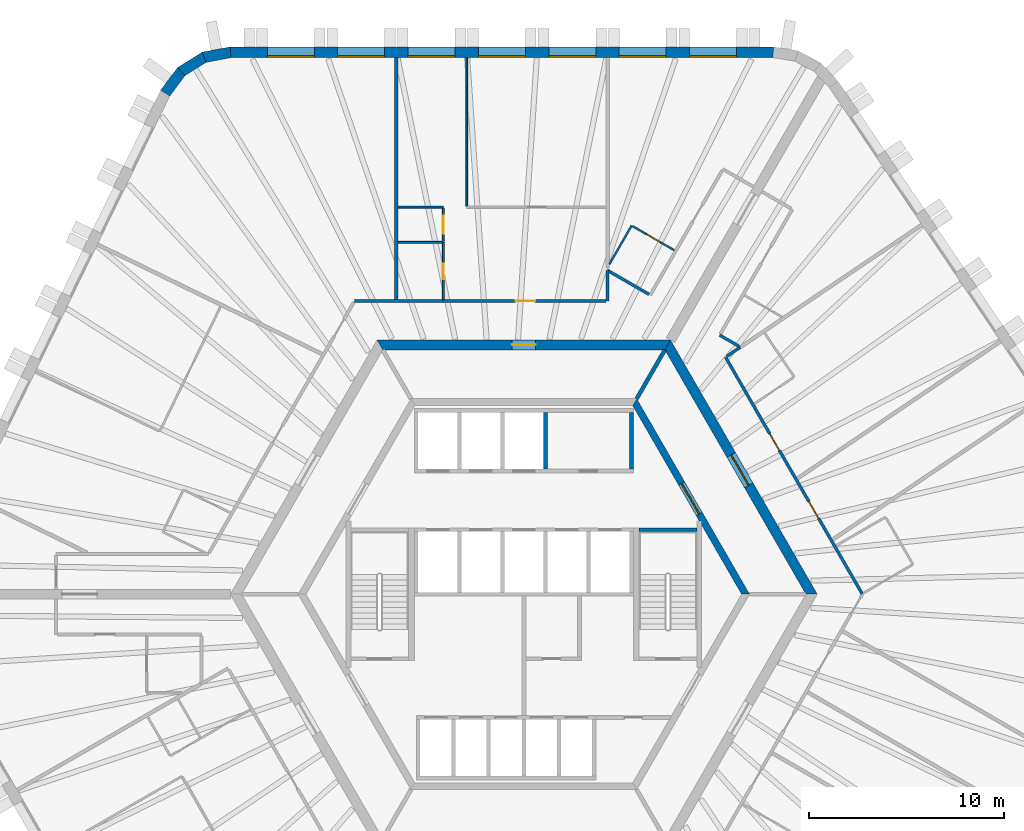
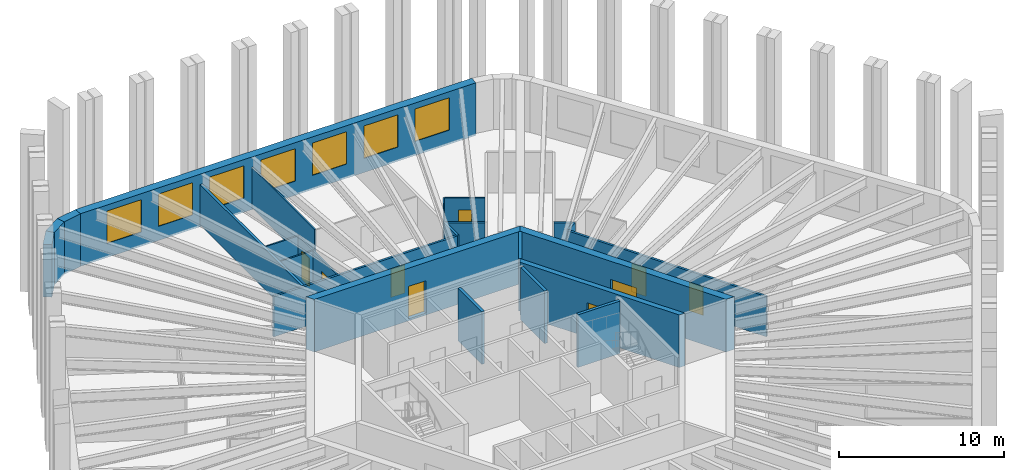
# One storey, part 8 of 10: 25 walls, 9 doors, 7 windows, 16 openings.
"""IFC4 building model written with IfcOpenShell, lengths in metres."""

import ifcopenshell
import ifcopenshell.guid

model = None  # the IFC model being written
_history = None  # IfcOwnerHistory: only IFC2X3 demands one
_inside = {}  # id of a spatial element -> (the spatial element, [elements in it])
_under = {}  # id of a project, library or spatial element -> (it, [spatial elements below it])
_declared = {}  # id of a project -> (the project, [libraries it declares])
_typed = {}  # id of a type object -> (the type object, [elements of that type])
_made_of = {}  # id of a material, layer set ... -> (it, [elements and type objects made of it])


def new_model(schema):
    """Start an empty IFC model of exactly this schema.

    Asked for "IFC4X3", IfcOpenShell would pick the latest addendum, in which some entities
    have other attributes; the version numbers below select the first issue.
    IFC2X3 requires an IfcOwnerHistory on every rooted entity: one is made here for all.
    """
    global model, _history
    if schema == "IFC4X3":
        model = ifcopenshell.file(schema_version=(4, 3, 0, 0))
    else:
        model = ifcopenshell.file(schema=schema)
    _inside.clear()
    _under.clear()
    _declared.clear()
    _typed.clear()
    _made_of.clear()
    _history = None
    if model.schema == "IFC2X3":
        org = make("IfcOrganization", Name="unknown")
        user = make(
            "IfcPersonAndOrganization",
            ThePerson=make("IfcPerson", FamilyName="unknown"),
            TheOrganization=org,
        )
        app = make(
            "IfcApplication",
            ApplicationDeveloper=org,
            Version="unknown",
            ApplicationFullName="unknown",
            ApplicationIdentifier="unknown",
        )
        _history = make(
            "IfcOwnerHistory",
            OwningUser=user,
            OwningApplication=app,
            ChangeAction="ADDED",
            CreationDate=0,
        )
    return model


def make(cls, **values):
    """One entity of the class cls with the attributes given. An attribute that is None is left unset."""
    return model.create_entity(
        cls, **{name: value for name, value in values.items() if value is not None}
    )


def rooted(cls, **values):
    """An entity with a GlobalId (a new one), such as an element, a storey or a relation."""
    return make(cls, GlobalId=ifcopenshell.guid.new(), OwnerHistory=_history, **values)


def si_unit(unit_type, name, prefix=None):
    """IfcSIUnit, for example si_unit("LENGTHUNIT", "METRE", prefix="MILLI")."""
    return make("IfcSIUnit", UnitType=unit_type, Prefix=prefix, Name=name)


def assignment(units):
    """IfcUnitAssignment: the units of a project."""
    return None if units is None else make("IfcUnitAssignment", Units=units)


def point(xyz):
    """IfcCartesianPoint."""
    return None if xyz is None else make("IfcCartesianPoint", Coordinates=xyz)


def direction(xyz):
    """IfcDirection."""
    return None if xyz is None else make("IfcDirection", DirectionRatios=xyz)


def frame(location, z_axis=None, x_axis=None):
    """IfcAxis2Placement3D, a coordinate frame: its origin and axes. An axis left out is left unset."""
    return make(
        "IfcAxis2Placement3D",
        Location=point(location),
        Axis=direction(z_axis),
        RefDirection=direction(x_axis),
    )


def frame_2d(location, x_axis=None):
    """IfcAxis2Placement2D, a coordinate frame in the plane: its origin and x axis."""
    return make(
        "IfcAxis2Placement2D", Location=point(location), RefDirection=direction(x_axis)
    )


def origin():
    """The frame at (0, 0, 0) with its axes left unset."""
    return frame((0.0, 0.0, 0.0))


def place(relative_to, where):
    """IfcLocalPlacement: puts the frame where relative to a parent placement (None: the world)."""
    return make(
        "IfcLocalPlacement", PlacementRelTo=relative_to, RelativePlacement=where
    )


def context(
    kind, dimensions, precision=None, world=None, true_north=None, identifier=None
):
    """IfcGeometricRepresentationContext, for example the 3D "Model" context."""
    return make(
        "IfcGeometricRepresentationContext",
        ContextIdentifier=identifier,
        ContextType=kind,
        CoordinateSpaceDimension=dimensions,
        Precision=precision,
        WorldCoordinateSystem=world,
        TrueNorth=true_north,
    )


def subcontext(parent, identifier, kind, view, scale=None):
    """IfcGeometricRepresentationSubContext, for example "Body" below "Model"."""
    return make(
        "IfcGeometricRepresentationSubContext",
        ContextIdentifier=identifier,
        ContextType=kind,
        ParentContext=parent,
        TargetScale=scale,
        TargetView=view,
    )


def project(units=None, contexts=None):
    """IfcProject with its units and contexts."""
    return rooted(
        "IfcProject",
        Name="project",
        RepresentationContexts=contexts,
        UnitsInContext=assignment(units),
    )


def spatial(cls, under=None, at=None, **own):
    """A site, building, storey or space (cls), placed at a placement, below another one or the project."""
    s = rooted(cls, ObjectPlacement=at, **own)
    if under is not None:
        _under.setdefault(under.id(), (under, []))[1].append(s)
    return s


def polyline(points):
    """IfcPolyline through the points."""
    return make("IfcPolyline", Points=[point(p) for p in points])


def profile(cls, at=None, kind="AREA", **sizes):
    """A parametric profile (cls). Its sizes go by their IFC names, for example OverallWidth=200.0."""
    return make(cls, ProfileType=kind, Position=at, **sizes)


def rectangle(**sizes):
    """IfcRectangleProfileDef."""
    return profile("IfcRectangleProfileDef", **sizes)


def outline(outer, holes=None, kind="AREA"):
    """IfcArbitraryClosedProfileDef: a profile drawn as a closed curve; with holes, ...WithVoids."""
    if holes is None:
        return make("IfcArbitraryClosedProfileDef", ProfileType=kind, OuterCurve=outer)
    return make(
        "IfcArbitraryProfileDefWithVoids",
        ProfileType=kind,
        OuterCurve=outer,
        InnerCurves=holes,
    )


def extrude(swept, where, along, depth):
    """IfcExtrudedAreaSolid: the profile swept, set in the frame where, extruded along a direction by depth."""
    return make(
        "IfcExtrudedAreaSolid",
        SweptArea=swept,
        Position=where,
        ExtrudedDirection=direction(along),
        Depth=depth,
    )


def shape(context_of_items, identifier, shape_type, items):
    """IfcShapeRepresentation: the items that make up one representation, for example the "Body"."""
    return make(
        "IfcShapeRepresentation",
        ContextOfItems=context_of_items,
        RepresentationIdentifier=identifier,
        RepresentationType=shape_type,
        Items=items,
    )


def material(Name=None, Category=None):
    """IfcMaterial."""
    return make("IfcMaterial", Name=Name, Category=Category)


def layer(
    of_material, thickness, ventilated=None, Name=None, Category=None, Priority=None
):
    """IfcMaterialLayer: one layer of a wall or slab, of a material (None: an air gap)."""
    return make(
        "IfcMaterialLayer",
        Material=of_material,
        LayerThickness=thickness,
        IsVentilated=ventilated,
        Name=Name,
        Category=Category,
        Priority=Priority,
    )


def layer_set(layers, Name=None):
    """IfcMaterialLayerSet."""
    return make("IfcMaterialLayerSet", MaterialLayers=layers, LayerSetName=Name)


def made_of(thing, what):
    """Note that an element or type object is made of a material, layer set ...; save() writes the relation."""
    if what is not None:
        _made_of.setdefault(what.id(), (what, []))[1].append(thing)
    return thing


def type_object(cls, material=None, **own):
    """A type object (cls), such as IfcWallType, which elements share."""
    return made_of(rooted(cls, **own), material)


def element(
    cls,
    number,
    at=None,
    inside=None,
    cuts=None,
    type_object=None,
    material=None,
    context=None,
    identifier="Body",
    shape_type=None,
    held_by="IfcProductDefinitionShape",
    body=None,
    shapes=None,
    **own,
):
    """One element of the class cls, such as IfcWall. Its Tag is "e" and its number.

    at: its placement. inside: the storey or other place that contains it. cuts: it is an
    opening in that element (IfcRelVoidsElement). A single representation is given by context,
    identifier, shape_type and body (its items); several are given by shapes. held_by: the class
    of the entity that holds the representations. save() writes the other relations.
    """
    e = rooted(cls, Tag="e%d" % number, ObjectPlacement=at, **own)
    if body is not None:
        shapes = [shape(context, identifier, shape_type, body)]
    if shapes is not None:
        e.Representation = make(held_by, Representations=shapes)
    if inside is not None:
        _inside.setdefault(inside.id(), (inside, []))[1].append(e)
    if cuts is not None:
        rooted(
            "IfcRelVoidsElement", RelatingBuildingElement=cuts, RelatedOpeningElement=e
        )
    if type_object is not None:
        _typed.setdefault(type_object.id(), (type_object, []))[1].append(e)
    return made_of(e, material)


def fill(opening, filler):
    """IfcRelFillsElement: the door or window that sits in an opening."""
    return rooted(
        "IfcRelFillsElement",
        RelatingOpeningElement=opening,
        RelatedBuildingElement=filler,
    )


def aggregate(whole, parts):
    """IfcRelAggregates: a whole, such as a stair, and the parts it consists of."""
    return rooted("IfcRelAggregates", RelatingObject=whole, RelatedObjects=parts)


def save(model, path):
    """Write the relations noted so far, then the file.

    IfcRelAggregates (storeys below a building ...), IfcRelContainedInSpatialStructure (elements
    in a storey), IfcRelDefinesByType, IfcRelAssociatesMaterial and IfcRelDeclares: one each for
    every whole, place, type object, material and project.
    """
    for whole, parts in _under.values():
        aggregate(whole, parts)
    for where, things in _inside.values():
        rooted(
            "IfcRelContainedInSpatialStructure",
            RelatedElements=things,
            RelatingStructure=where,
        )
    for kind, things in _typed.values():
        rooted("IfcRelDefinesByType", RelatedObjects=things, RelatingType=kind)
    for what, things in _made_of.values():
        rooted("IfcRelAssociatesMaterial", RelatedObjects=things, RelatingMaterial=what)
    for by, libraries in _declared.values():
        rooted("IfcRelDeclares", RelatingContext=by, RelatedDefinitions=libraries)
    model.write(path)


model = new_model("IFC4")

# Units and contexts
model_context = context("Model", 3, precision=1e-05, world=origin(), true_north=direction((0.0, 1.0)))
body_context = subcontext(model_context, "Body", "Model", "MODEL_VIEW")
ifc_project = project(units=[si_unit("LENGTHUNIT", "METRE"), si_unit("AREAUNIT", "SQUARE_METRE"), si_unit("VOLUMEUNIT", "CUBIC_METRE"), si_unit("PLANEANGLEUNIT", "RADIAN"), si_unit("MASSUNIT", "GRAM", prefix="KILO")], contexts=[model_context])

# Site, building, storey
site_placement = place(None, origin())
site = spatial("IfcSite", under=ifc_project, at=site_placement, CompositionType="ELEMENT")
building_placement = place(site_placement, origin())
building = spatial("IfcBuilding", under=site, at=building_placement, Name="Tarnside Tower", CompositionType="ELEMENT")
storey_placement = place(building_placement, frame((0.0, 0.0, 195.60009765625)))
storey = spatial("IfcBuildingStorey", under=building, at=storey_placement, Name="L46", CompositionType="ELEMENT", Elevation=195.60009765625)

# Wall
ifc_material_1 = material(Name="Gypsum board partition on steel studs", Category="steel")
ifc_layer_1 = layer(ifc_material_1, 0.10009765625)
ifc_layer_set_1 = layer_set([ifc_layer_1], Name="Bathroom wall 100")
wall_type_1 = type_object("IfcWallType", Name="Bathroom wall 100", PredefinedType="PARTITIONING", material=ifc_layer_set_1)
wall_1_placement = place(storey_placement, frame((4.3720703125, 16.872802734375, 0.0), z_axis=(0.0, 0.0, 1.0), x_axis=(0.500005641832, 0.866022146447, 0.0)))
element("IfcWall", 1, at=wall_1_placement, inside=storey, type_object=wall_type_1, Name="Bathroom wall 15050", PredefinedType="PARTITIONING", context=body_context, shape_type="SweptSolid", body=[
    extrude(rectangle(XDim=2.28857421875, YDim=0.10009765625, at=frame_2d((1.144287109375, 0.0))), origin(), (0.0, 0.0, 1.0), 2.98779296875),
])

# Wall, opening, door
wall_2_placement = place(storey_placement, frame((5.559814453125, 18.829833984375, 0.0), z_axis=(0.0, 0.0, 1.0), x_axis=(0.866006523861, -0.500032699561, 0.0)))
wall_2 = element("IfcWall", 2, at=wall_2_placement, inside=storey, type_object=wall_type_1, Name="Bathroom wall 15051", PredefinedType="PARTITIONING", context=body_context, shape_type="SweptSolid", body=[
    extrude(rectangle(XDim=2.474853515625, YDim=0.10009765625, at=frame_2d((1.2373046875, 0.0))), origin(), (0.0, 0.0, 1.0), 2.98779296875),
])
opening_1_placement = place(wall_2_placement, frame((0.85009765625, 0.0, 0.0)))
opening_1 = element("IfcOpeningElement", 3, at=opening_1_placement, cuts=wall_2, Name="Opening D-B1", PredefinedType="OPENING", context=body_context, shape_type="SweptSolid", body=[
    extrude(rectangle(XDim=0.800048828125, YDim=2.10009765625, at=frame_2d((0.39990234375, 1.050048828125))), frame((0.0, 0.06005859375, 0.0), z_axis=(0.0, -1.0, 0.0), x_axis=(1.0, 0.0, 0.0)), (0.0, 0.0, 1.0), 0.1201171875),
])
ifc_material_2 = material(Name="Timber door leaf", Category="wood")
door_type_1 = type_object("IfcDoorType", Name="Bathroom door 800", OperationType="NOTDEFINED", PredefinedType="DOOR", material=ifc_material_2)
door_1_placement = place(opening_1_placement, origin())
door_1 = element("IfcDoor", 4, at=door_1_placement, inside=storey, type_object=door_type_1, Name="Bathroom door 15002", OperationType="SINGLE_SWING_RIGHT", OverallHeight=2.10009765625, OverallWidth=0.800048828125, PredefinedType="DOOR", context=body_context, shape_type="SweptSolid", body=[
    extrude(rectangle(XDim=0.800048828125, YDim=2.10009765625, at=frame_2d((0.39990234375, 1.050048828125))), frame((0.0, 0.02490234375, 0.0), z_axis=(0.0, -1.0, 0.0), x_axis=(1.0, 0.0, 0.0)), (0.0, 0.0, 1.0), 0.050048828125),
])
fill(opening_1, door_1)

wall_3_placement = place(storey_placement, frame((-4.117919921875, 18.0, 0.0), z_axis=(0.0, 0.0, 1.0), x_axis=(0.0, -1.0, 0.0)))
wall_3 = element("IfcWall", 5, at=wall_3_placement, inside=storey, type_object=wall_type_1, Name="Bathroom wall 15054", PredefinedType="PARTITIONING", context=body_context, shape_type="SweptSolid", body=[
    extrude(rectangle(XDim=2.925048828125, YDim=0.10009765625, at=frame_2d((1.46240234375, 0.0))), origin(), (0.0, 0.0, 1.0), 2.98779296875),
])
opening_2_placement = place(wall_3_placement, frame((1.10009765625, 0.0, 0.0)))
opening_2 = element("IfcOpeningElement", 6, at=opening_2_placement, cuts=wall_3, Name="Opening D-B1", PredefinedType="OPENING", context=body_context, shape_type="SweptSolid", body=[
    extrude(rectangle(XDim=0.800048828125, YDim=2.10009765625, at=frame_2d((0.39990234375, 1.050048828125))), frame((0.0, 0.06005859375, 0.0), z_axis=(0.0, -1.0, 0.0), x_axis=(1.0, 0.0, 0.0)), (0.0, 0.0, 1.0), 0.1201171875),
])
door_2_placement = place(opening_2_placement, origin())
door_2 = element("IfcDoor", 7, at=door_2_placement, inside=storey, type_object=door_type_1, Name="Bathroom door 15004", OperationType="SINGLE_SWING_LEFT", OverallHeight=2.10009765625, OverallWidth=0.800048828125, PredefinedType="DOOR", context=body_context, shape_type="SweptSolid", body=[
    extrude(rectangle(XDim=0.800048828125, YDim=2.10009765625, at=frame_2d((0.39990234375, 1.050048828125))), frame((0.0, 0.02490234375, 0.0), z_axis=(0.0, -1.0, 0.0), x_axis=(1.0, 0.0, 0.0)), (0.0, 0.0, 1.0), 0.050048828125),
])
fill(opening_2, door_2)

# Wall
wall_4_placement = place(storey_placement, frame((-4.16796875, 18.0, 0.0), z_axis=(0.0, 0.0, 1.0), x_axis=(-1.0, 0.0, 0.0)))
element("IfcWall", 8, at=wall_4_placement, inside=storey, type_object=wall_type_1, Name="Bathroom wall 15060", PredefinedType="PARTITIONING", context=body_context, shape_type="SweptSolid", body=[
    extrude(rectangle(XDim=2.260009765625, YDim=0.10009765625, at=frame_2d((1.1298828125, 0.0))), origin(), (0.0, 0.0, 1.0), 2.98779296875),
])

# Wall, opening, door
ifc_material_3 = material(Name="Concrete C50/60", Category="concrete")
ifc_layer_2 = layer(ifc_material_3, 0.35009765625)
ifc_layer_set_2 = layer_set([ifc_layer_2], Name="Core block wall 350 C50/60")
wall_type_2 = type_object("IfcWallType", Name="Core block wall 350 C50/60", PredefinedType="SHEAR", material=ifc_layer_set_2)
wall_5_placement = place(storey_placement, frame((11.344970703125, 0.0, -0.150146484375), z_axis=(0.0, 0.0, 1.0), x_axis=(-0.499995046907, 0.866028263435, 0.0)))
wall_5 = element("IfcWall", 9, at=wall_5_placement, inside=storey, type_object=wall_type_2, Name="L46 core block wall face 6", PredefinedType="SHEAR", context=body_context, shape_type="SweptSolid", body=[
    extrude(outline(polyline([(-0.10107421875, -0.175048828125), (11.44580078125, -0.175048828125), (11.24365234375, 0.175048828125), (0.10107421875, 0.175048828125), (-0.10107421875, -0.175048828125)])), origin(), (0.0, 0.0, 1.0), 3.900146484375),
])
opening_3_placement = place(wall_5_placement, frame((4.74365234375, 0.0, 0.14990234375)))
opening_3 = element("IfcOpeningElement", 10, at=opening_3_placement, cuts=wall_5, Name="Opening CD-LOB", PredefinedType="OPENING", context=body_context, shape_type="SweptSolid", body=[
    extrude(rectangle(XDim=1.800048828125, YDim=2.39990234375, at=frame_2d((0.89990234375, 1.199951171875))), frame((0.0, 0.18505859375, 0.0), z_axis=(0.0, -1.0, 0.0), x_axis=(1.0, 0.0, 0.0)), (0.0, 0.0, 1.0), 0.3701171875),
])
ifc_material_4 = material(Name="Steel fire door", Category="steel")
door_type_2 = type_object("IfcDoorType", Name="Lobby double door FD30S 1800x2400", OperationType="NOTDEFINED", PredefinedType="DOOR", material=ifc_material_4)
door_3_placement = place(opening_3_placement, origin())
door_3 = element("IfcDoor", 11, at=door_3_placement, inside=storey, type_object=door_type_2, Name="L46 lobby block door P2", OperationType="DOUBLE_DOOR_SINGLE_SWING", OverallHeight=2.39990234375, OverallWidth=1.800048828125, PredefinedType="DOOR", context=body_context, shape_type="SweptSolid", body=[
    extrude(rectangle(XDim=1.800048828125, YDim=2.39990234375, at=frame_2d((0.89990234375, 1.199951171875))), frame((0.0, 0.02490234375, 0.0), z_axis=(0.0, -1.0, 0.0), x_axis=(1.0, 0.0, 0.0)), (0.0, 0.0, 1.0), 0.050048828125),
])
fill(opening_3, door_3)

ifc_material_5 = material(Name="Concrete C70/85", Category="concrete")
ifc_layer_3 = layer(ifc_material_5, 0.5)
ifc_layer_set_3 = layer_set([ifc_layer_3], Name="Core wall Z2 500 C70/85")
wall_type_3 = type_object("IfcWallType", Name="Core wall Z2 500 C70/85", PredefinedType="SHEAR", material=ifc_layer_set_3)
wall_6_placement = place(storey_placement, frame((14.722412109375, 0.0, -0.150146484375), z_axis=(0.0, 0.0, 1.0), x_axis=(-0.50000571537, 0.866022103989, 0.0)))
wall_6 = element("IfcWall", 12, at=wall_6_placement, inside=storey, type_object=wall_type_3, Name="L46 core wall face 6", PredefinedType="SHEAR", context=body_context, shape_type="SweptSolid", body=[
    extrude(outline(polyline([(-0.144287109375, -0.25), (14.86669921875, -0.25), (14.578125, 0.25), (0.144287109375, 0.25), (-0.144287109375, -0.25)])), origin(), (0.0, 0.0, 1.0), 3.900146484375),
])
opening_4_placement = place(wall_6_placement, frame((6.432373046875, 0.0, 0.14990234375)))
opening_4 = element("IfcOpeningElement", 13, at=opening_4_placement, cuts=wall_6, Name="Opening CD-LOB", PredefinedType="OPENING", context=body_context, shape_type="SweptSolid", body=[
    extrude(rectangle(XDim=1.800048828125, YDim=2.39990234375, at=frame_2d((0.89990234375, 1.199951171875))), frame((0.0, 0.260009765625, 0.0), z_axis=(0.0, -1.0, 0.0), x_axis=(1.0, 0.0, 0.0)), (0.0, 0.0, 1.0), 0.52001953125),
])
door_4_placement = place(opening_4_placement, origin())
door_4 = element("IfcDoor", 14, at=door_4_placement, inside=storey, type_object=door_type_2, Name="L46 core door P2", OperationType="DOUBLE_DOOR_SINGLE_SWING", OverallHeight=2.39990234375, OverallWidth=1.800048828125, PredefinedType="DOOR", context=body_context, shape_type="SweptSolid", body=[
    extrude(rectangle(XDim=1.800048828125, YDim=2.39990234375, at=frame_2d((0.89990234375, 1.199951171875))), frame((0.0, 0.02490234375, 0.0), z_axis=(0.0, -1.0, 0.0), x_axis=(1.0, 0.0, 0.0)), (0.0, 0.0, 1.0), 0.050048828125),
])
fill(opening_4, door_4)

wall_7_placement = place(storey_placement, frame((7.361083984375, 12.75, -0.150146484375), z_axis=(0.0, 0.0, 1.0), x_axis=(-1.0, 0.0, 0.0)))
wall_7 = element("IfcWall", 15, at=wall_7_placement, inside=storey, type_object=wall_type_3, Name="L46 core wall face 1", PredefinedType="SHEAR", context=body_context, shape_type="SweptSolid", body=[
    extrude(outline(polyline([(-0.144287109375, -0.25), (14.866455078125, -0.25), (14.577880859375, 0.25), (0.144287109375, 0.25), (-0.144287109375, -0.25)])), origin(), (0.0, 0.0, 1.0), 3.900146484375),
])
opening_5_placement = place(wall_7_placement, frame((6.76123046875, 0.0, 0.14990234375)))
opening_5 = element("IfcOpeningElement", 16, at=opening_5_placement, cuts=wall_7, Name="Opening CD-RSR", PredefinedType="OPENING", context=body_context, shape_type="SweptSolid", body=[
    extrude(rectangle(XDim=1.199951171875, YDim=2.39990234375, at=frame_2d((0.60009765625, 1.199951171875))), frame((0.0, 0.260009765625, 0.0), z_axis=(0.0, -1.0, 0.0), x_axis=(1.0, 0.0, 0.0)), (0.0, 0.0, 1.0), 0.52001953125),
])
door_type_3 = type_object("IfcDoorType", Name="Riser door FD60 1200x2400", OperationType="NOTDEFINED", PredefinedType="DOOR", material=ifc_material_4)
door_5_placement = place(opening_5_placement, origin())
door_5 = element("IfcDoor", 17, at=door_5_placement, inside=storey, type_object=door_type_3, Name="L46 core door S5", OperationType="SINGLE_SWING_LEFT", OverallHeight=2.39990234375, OverallWidth=1.199951171875, PredefinedType="DOOR", context=body_context, shape_type="SweptSolid", body=[
    extrude(rectangle(XDim=1.199951171875, YDim=2.39990234375, at=frame_2d((0.60009765625, 1.199951171875))), frame((0.0, 0.02490234375, 0.0), z_axis=(0.0, -1.0, 0.0), x_axis=(1.0, 0.0, 0.0)), (0.0, 0.0, 1.0), 0.050048828125),
])
fill(opening_5, door_5)

# Walls
ifc_layer_4 = layer(ifc_material_1, 0.14990234375)
ifc_layer_set_4 = layer_set([ifc_layer_4], Name="Corridor wall 150 EI 60")
wall_type_4 = type_object("IfcWallType", Name="Corridor wall 150 EI 60", PredefinedType="PARTITIONING", material=ifc_layer_set_4)
wall_8_placement = place(storey_placement, frame((6.403076171875, 15.340576171875, 0.0), z_axis=(0.0, 0.0, 1.0), x_axis=(-0.8660013066, 0.500041735226, 0.0)))
element("IfcWall", 18, at=wall_8_placement, inside=storey, type_object=wall_type_4, Name="Corridor wall 15004", PredefinedType="PARTITIONING", context=body_context, shape_type="SweptSolid", body=[
    extrude(rectangle(XDim=2.448974609375, YDim=0.14990234375, at=frame_2d((1.224609375, 0.0))), origin(), (0.0, 0.0, 1.0), 2.98779296875),
])
wall_9_placement = place(storey_placement, frame((4.2822265625, 16.569091796875, 0.0), z_axis=(0.0, 0.0, 1.0), x_axis=(0.0, -1.0, 0.0)))
element("IfcWall", 19, at=wall_9_placement, inside=storey, type_object=wall_type_4, Name="Corridor wall 15005", PredefinedType="PARTITIONING", context=body_context, shape_type="SweptSolid", body=[
    extrude(rectangle(XDim=1.569091796875, YDim=0.14990234375, at=frame_2d((0.78466796875, 0.0))), origin(), (0.0, 0.0, 1.0), 2.98779296875),
])

# Wall, opening, door
wall_10_placement = place(storey_placement, frame((4.20703125, 15.0, 0.0), z_axis=(0.0, 0.0, 1.0), x_axis=(-1.0, 0.0, 0.0)))
wall_10 = element("IfcWall", 20, at=wall_10_placement, inside=storey, type_object=wall_type_4, Name="Corridor wall 15006", PredefinedType="PARTITIONING", context=body_context, shape_type="SweptSolid", body=[
    extrude(rectangle(XDim=12.8671875, YDim=0.14990234375, at=frame_2d((6.43359375, 0.0))), origin(), (0.0, 0.0, 1.0), 2.98779296875),
])
opening_6_placement = place(wall_10_placement, frame((3.625, 0.0, 0.0)))
opening_6 = element("IfcOpeningElement", 21, at=opening_6_placement, cuts=wall_10, Name="Opening D-E1", PredefinedType="OPENING", context=body_context, shape_type="SweptSolid", body=[
    extrude(rectangle(XDim=1.0, YDim=2.10009765625, at=frame_2d((0.5, 1.050048828125))), frame((0.0, 0.0849609375, 0.0), z_axis=(0.0, -1.0, 0.0), x_axis=(1.0, 0.0, 0.0)), (0.0, 0.0, 1.0), 0.169921875),
])
door_type_4 = type_object("IfcDoorType", Name="Unit entrance door 1000 FD30S", OperationType="NOTDEFINED", PredefinedType="DOOR", material=ifc_material_2)
door_6_placement = place(opening_6_placement, origin())
door_6 = element("IfcDoor", 22, at=door_6_placement, inside=storey, type_object=door_type_4, Name="Unit door 15003", OperationType="SINGLE_SWING_RIGHT", OverallHeight=2.10009765625, OverallWidth=1.0, PredefinedType="DOOR", context=body_context, shape_type="SweptSolid", body=[
    extrude(rectangle(XDim=1.0, YDim=2.10009765625, at=frame_2d((0.5, 1.050048828125))), frame((0.0, 0.02490234375, 0.0), z_axis=(0.0, -1.0, 0.0), x_axis=(1.0, 0.0, 0.0)), (0.0, 0.0, 1.0), 0.050048828125),
])
fill(opening_6, door_6)

# Wall, openings, doors
wall_11_placement = place(storey_placement, frame((17.307861328125, 0.02197265625, 0.0), z_axis=(0.0, 0.0, 1.0), x_axis=(-0.500009245501, 0.866020065826, 0.0)))
wall_11 = element("IfcWall", 23, at=wall_11_placement, inside=storey, type_object=wall_type_4, Name="Corridor wall 15039", PredefinedType="PARTITIONING", context=body_context, shape_type="SweptSolid", body=[
    extrude(rectangle(XDim=13.976318359375, YDim=0.14990234375, at=frame_2d((6.98828125, 0.0))), origin(), (0.0, 0.0, 1.0), 2.98779296875),
])
opening_7_placement = place(wall_11_placement, frame((4.454345703125, 0.0, 0.0)))
opening_7 = element("IfcOpeningElement", 24, at=opening_7_placement, cuts=wall_11, Name="Opening D-E1", PredefinedType="OPENING", context=body_context, shape_type="SweptSolid", body=[
    extrude(rectangle(XDim=1.0, YDim=2.10009765625, at=frame_2d((0.5, 1.050048828125))), frame((0.0, 0.0849609375, 0.0), z_axis=(0.0, -1.0, 0.0), x_axis=(1.0, 0.0, 0.0)), (0.0, 0.0, 1.0), 0.169921875),
])
opening_8_placement = place(wall_11_placement, frame((8.470947265625, 0.0, 0.0)))
opening_8 = element("IfcOpeningElement", 25, at=opening_8_placement, cuts=wall_11, Name="Opening D-E1", PredefinedType="OPENING", context=body_context, shape_type="SweptSolid", body=[
    extrude(rectangle(XDim=1.0, YDim=2.10009765625, at=frame_2d((0.5, 1.050048828125))), frame((0.0, 0.0849609375, 0.0), z_axis=(0.0, -1.0, 0.0), x_axis=(1.0, 0.0, 0.0)), (0.0, 0.0, 1.0), 0.169921875),
])
door_7_placement = place(opening_7_placement, origin())
door_7 = element("IfcDoor", 26, at=door_7_placement, inside=storey, type_object=door_type_4, Name="Unit door 15032", OperationType="SINGLE_SWING_LEFT", OverallHeight=2.10009765625, OverallWidth=1.0, PredefinedType="DOOR", context=body_context, shape_type="SweptSolid", body=[
    extrude(rectangle(XDim=1.0, YDim=2.10009765625, at=frame_2d((0.5, 1.050048828125))), frame((0.0, 0.02490234375, 0.0), z_axis=(0.0, -1.0, 0.0), x_axis=(1.0, 0.0, 0.0)), (0.0, 0.0, 1.0), 0.050048828125),
])
fill(opening_7, door_7)
door_8_placement = place(opening_8_placement, origin())
door_8 = element("IfcDoor", 27, at=door_8_placement, inside=storey, type_object=door_type_4, Name="Unit door 15033", OperationType="SINGLE_SWING_RIGHT", OverallHeight=2.10009765625, OverallWidth=1.0, PredefinedType="DOOR", context=body_context, shape_type="SweptSolid", body=[
    extrude(rectangle(XDim=1.0, YDim=2.10009765625, at=frame_2d((0.5, 1.050048828125))), frame((0.0, 0.02490234375, 0.0), z_axis=(0.0, -1.0, 0.0), x_axis=(1.0, 0.0, 0.0)), (0.0, 0.0, 1.0), 0.050048828125),
])
fill(opening_8, door_8)

# Walls
wall_12_placement = place(storey_placement, frame((10.382080078125, 12.167724609375, 0.0), z_axis=(0.0, 0.0, 1.0), x_axis=(0.828935479655, 0.559344232623, 0.0)))
element("IfcWall", 28, at=wall_12_placement, inside=storey, type_object=wall_type_4, Name="Corridor wall 15045", PredefinedType="PARTITIONING", context=body_context, shape_type="SweptSolid", body=[
    extrude(rectangle(XDim=0.84765625, YDim=0.14990234375, at=frame_2d((0.423828125, 0.0))), origin(), (0.0, 0.0, 1.0), 2.98779296875),
])
wall_13_placement = place(storey_placement, frame((11.00927734375, 12.681396484375, 0.0), z_axis=(0.0, 0.0, 1.0), x_axis=(-0.86605406138, 0.499950360304, 0.0)))
element("IfcWall", 29, at=wall_13_placement, inside=storey, type_object=wall_type_4, Name="Corridor wall 15048", PredefinedType="PARTITIONING", context=body_context, shape_type="SweptSolid", body=[
    extrude(rectangle(XDim=1.1435546875, YDim=0.14990234375, at=frame_2d((0.57177734375, 0.0))), origin(), (0.0, 0.0, 1.0), 2.98779296875),
])
ifc_layer_5 = layer(ifc_material_1, 0.179931640625)
ifc_layer_set_5 = layer_set([ifc_layer_5], Name="Demising wall 180 EI 60")
wall_type_5 = type_object("IfcWallType", Name="Demising wall 180 EI 60", PredefinedType="PARTITIONING", material=ifc_layer_set_5)
wall_14_placement = place(storey_placement, frame((-6.517822265625, 27.449951171875, 0.0), z_axis=(0.0, 0.0, 1.0), x_axis=(0.0, -1.0, 0.0)))
element("IfcWall", 30, at=wall_14_placement, inside=storey, type_object=wall_type_5, Name="Demising wall 15059", PredefinedType="PARTITIONING", context=body_context, shape_type="SweptSolid", body=[
    extrude(rectangle(XDim=12.375, YDim=0.179931640625, at=frame_2d((6.1875, 0.0))), origin(), (0.0, 0.0, 1.0), 2.98779296875),
])
ifc_material_6 = material(Name="Concrete C40/50", Category="concrete")
ifc_layer_6 = layer(ifc_material_6, 0.199951171875)
ifc_layer_set_6 = layer_set([ifc_layer_6], Name="Lift shaft wall 200 C40/50")
wall_type_6 = type_object("IfcWallType", Name="Lift shaft wall 200 C40/50", PredefinedType="SHEAR", material=ifc_layer_set_6)
for number, where, z_axis, x_axis, name in (
    (31, (1.10009765625, 6.39990234375, -0.25), (0.0, 0.0, 1.0), (0.0, 1.0, 0.0), "L46 lift shaft partition R14"),
    (32, (5.5, 6.39990234375, -0.25), (0.0, 0.0, 1.0), (0.0, 1.0, 0.0), "L46 lift shaft partition R16"),
):
    element("IfcWall", number, at=place(storey_placement, frame(where, z_axis=z_axis, x_axis=x_axis)), inside=storey, type_object=wall_type_6, Name=name, PredefinedType="SHEAR", context=body_context, shape_type="SweptSolid", body=[
        extrude(rectangle(XDim=2.900146484375, YDim=0.199951171875, at=frame_2d((1.4501953125, 0.0))), origin(), (0.0, 0.0, 1.0), 3.89990234375),
    ])
wall_15_placement = place(storey_placement, frame((5.7734375, 10.0, -0.150146484375), z_axis=(0.0, 0.0, 1.0), x_axis=(0.499995765644, 0.866027848477, 0.0)))
element("IfcWall", 33, at=wall_15_placement, inside=storey, type_object=wall_type_6, Name="L46 core partition AR60", PredefinedType="SHEAR", context=body_context, shape_type="SweptSolid", body=[
    extrude(rectangle(XDim=2.88671875, YDim=0.199951171875, at=frame_2d((1.443359375, 0.0))), origin(), (0.0, 0.0, 1.0), 3.900146484375),
])
wall_16_placement = place(storey_placement, frame((5.89990234375, 3.300048828125, -0.25), z_axis=(0.0, 0.0, 1.0), x_axis=(1.0, 0.0, 0.0)))
element("IfcWall", 34, at=wall_16_placement, inside=storey, type_object=wall_type_6, Name="L46 stair 1 enclosure cap wall n", PredefinedType="SHEAR", context=body_context, shape_type="SweptSolid", body=[
    extrude(rectangle(XDim=2.9501953125, YDim=0.199951171875, at=frame_2d((1.47509765625, 0.0))), origin(), (0.0, 0.0, 1.0), 3.89990234375),
])
ifc_layer_7 = layer(ifc_material_1, 0.10009765625)
ifc_layer_set_7 = layer_set([ifc_layer_7], Name="Partition 100")
wall_type_7 = type_object("IfcWallType", Name="Partition 100", PredefinedType="PARTITIONING", material=ifc_layer_set_7)
wall_17_placement = place(storey_placement, frame((-6.427978515625, 19.800048828125, 0.0), z_axis=(0.0, 0.0, 1.0), x_axis=(1.0, 0.0, 0.0)))
element("IfcWall", 35, at=wall_17_placement, inside=storey, type_object=wall_type_7, Name="Partition wall 15055", PredefinedType="PARTITIONING", context=body_context, shape_type="SweptSolid", body=[
    extrude(rectangle(XDim=2.31005859375, YDim=0.10009765625, at=frame_2d((1.155029296875, 0.0))), origin(), (0.0, 0.0, 1.0), 2.98779296875),
])

# Wall, opening, door
wall_18_placement = place(storey_placement, frame((-4.117919921875, 19.75, 0.0), z_axis=(0.0, 0.0, 1.0), x_axis=(0.0, -1.0, 0.0)))
wall_18 = element("IfcWall", 36, at=wall_18_placement, inside=storey, type_object=wall_type_7, Name="Partition wall 15056", PredefinedType="PARTITIONING", context=body_context, shape_type="SweptSolid", body=[
    extrude(rectangle(XDim=1.699951171875, YDim=0.10009765625, at=frame_2d((0.85009765625, 0.0))), origin(), (0.0, 0.0, 1.0), 2.98779296875),
])
opening_9_placement = place(wall_18_placement, frame((0.39990234375, 0.0, 0.0)))
opening_9 = element("IfcOpeningElement", 37, at=opening_9_placement, cuts=wall_18, Name="Opening D-I1", PredefinedType="OPENING", context=body_context, shape_type="SweptSolid", body=[
    extrude(rectangle(XDim=0.89990234375, YDim=2.10009765625, at=frame_2d((0.449951171875, 1.050048828125))), frame((0.0, 0.06005859375, 0.0), z_axis=(0.0, -1.0, 0.0), x_axis=(1.0, 0.0, 0.0)), (0.0, 0.0, 1.0), 0.1201171875),
])
door_type_5 = type_object("IfcDoorType", Name="Internal door 900", OperationType="NOTDEFINED", PredefinedType="DOOR", material=ifc_material_2)
door_9_placement = place(opening_9_placement, origin())
door_9 = element("IfcDoor", 38, at=door_9_placement, inside=storey, type_object=door_type_5, Name="Internal door 15005", OperationType="SINGLE_SWING_LEFT", OverallHeight=2.10009765625, OverallWidth=0.89990234375, PredefinedType="DOOR", context=body_context, shape_type="SweptSolid", body=[
    extrude(rectangle(XDim=0.89990234375, YDim=2.10009765625, at=frame_2d((0.449951171875, 1.050048828125))), frame((0.0, 0.02490234375, 0.0), z_axis=(0.0, -1.0, 0.0), x_axis=(1.0, 0.0, 0.0)), (0.0, 0.0, 1.0), 0.050048828125),
])
fill(opening_9, door_9)

# Wall
wall_19_placement = place(storey_placement, frame((-2.91796875, 19.85009765625, 0.0), z_axis=(0.0, 0.0, 1.0), x_axis=(0.0, 1.0, 0.0)))
element("IfcWall", 39, at=wall_19_placement, inside=storey, type_object=wall_type_7, Name="Partition wall 15058", PredefinedType="PARTITIONING", context=body_context, shape_type="SweptSolid", body=[
    extrude(rectangle(XDim=7.599853515625, YDim=0.10009765625, at=frame_2d((3.7998046875, 0.0))), origin(), (0.0, 0.0, 1.0), 2.98779296875),
])

# Wall, openings, windows
ifc_material_7 = material(Name="Facing brick", Category="masonry")
ifc_layer_8 = layer(ifc_material_7, 0.10205078125)
ifc_material_8 = material(Name="Concrete C60/75 precast", Category="concrete")
ifc_layer_9 = layer(ifc_material_8, 0.347900390625)
ifc_material_9 = material(Name="Mineral wool insulation")
ifc_layer_10 = layer(ifc_material_9, 0.10009765625)
ifc_layer_set_8 = layer_set([ifc_layer_8, ifc_layer_9, ifc_layer_10], Name="Tube wall 550 brick faced")
wall_type_8 = type_object("IfcWallType", Name="Tube wall 550 brick faced", PredefinedType="SOLIDWALL", material=ifc_layer_set_8)
wall_20_placement = place(storey_placement, frame((12.760986328125, 27.72509765625, -0.150146484375), z_axis=(0.0, 0.0, 1.0), x_axis=(-1.0, 0.0, 0.0)))
wall_20 = element("IfcWall", 40, at=wall_20_placement, inside=storey, type_object=wall_type_8, Name="Tube wall L46 F1 flush 00", PredefinedType="SOLIDWALL", context=body_context, shape_type="SweptSolid", body=[
    extrude(outline(polyline([(-0.0224609375, -0.27490234375), (27.783447265625, -0.27490234375), (27.732177734375, 0.27490234375), (0.0224609375, 0.27490234375), (-0.0224609375, -0.27490234375)])), origin(), (0.0, 0.0, 1.0), 3.900146484375),
])
opening_10_placement = place(wall_20_placement, frame((1.87890625, 0.0, 1.050048828125)))
opening_10 = element("IfcOpeningElement", 41, at=opening_10_placement, cuts=wall_20, Name="Opening WH", PredefinedType="OPENING", context=body_context, shape_type="SweptSolid", body=[
    extrude(rectangle(XDim=2.39990234375, YDim=2.39990234375, at=frame_2d((1.199951171875, 1.199951171875))), frame((0.0, 0.28515625, 0.0), z_axis=(0.0, -1.0, 0.0), x_axis=(1.0, 0.0, 0.0)), (0.0, 0.0, 1.0), 0.570068359375),
])
opening_11_placement = place(wall_20_placement, frame((5.47900390625, 0.0, 1.050048828125)))
opening_11 = element("IfcOpeningElement", 42, at=opening_11_placement, cuts=wall_20, Name="Opening WH", PredefinedType="OPENING", context=body_context, shape_type="SweptSolid", body=[
    extrude(rectangle(XDim=2.39990234375, YDim=2.39990234375, at=frame_2d((1.199951171875, 1.199951171875))), frame((0.0, 0.28515625, 0.0), z_axis=(0.0, -1.0, 0.0), x_axis=(1.0, 0.0, 0.0)), (0.0, 0.0, 1.0), 0.570068359375),
])
opening_12_placement = place(wall_20_placement, frame((9.078857421875, 0.0, 1.050048828125)))
opening_12 = element("IfcOpeningElement", 43, at=opening_12_placement, cuts=wall_20, Name="Opening WH", PredefinedType="OPENING", context=body_context, shape_type="SweptSolid", body=[
    extrude(rectangle(XDim=2.39990234375, YDim=2.39990234375, at=frame_2d((1.199951171875, 1.199951171875))), frame((0.0, 0.28515625, 0.0), z_axis=(0.0, -1.0, 0.0), x_axis=(1.0, 0.0, 0.0)), (0.0, 0.0, 1.0), 0.570068359375),
])
opening_13_placement = place(wall_20_placement, frame((12.678955078125, 0.0, 1.050048828125)))
opening_13 = element("IfcOpeningElement", 44, at=opening_13_placement, cuts=wall_20, Name="Opening WH", PredefinedType="OPENING", context=body_context, shape_type="SweptSolid", body=[
    extrude(rectangle(XDim=2.39990234375, YDim=2.39990234375, at=frame_2d((1.199951171875, 1.199951171875))), frame((0.0, 0.28515625, 0.0), z_axis=(0.0, -1.0, 0.0), x_axis=(1.0, 0.0, 0.0)), (0.0, 0.0, 1.0), 0.570068359375),
])
opening_14_placement = place(wall_20_placement, frame((16.27880859375, 0.0, 1.050048828125)))
opening_14 = element("IfcOpeningElement", 45, at=opening_14_placement, cuts=wall_20, Name="Opening WH", PredefinedType="OPENING", context=body_context, shape_type="SweptSolid", body=[
    extrude(rectangle(XDim=2.39990234375, YDim=2.39990234375, at=frame_2d((1.199951171875, 1.199951171875))), frame((0.0, 0.28515625, 0.0), z_axis=(0.0, -1.0, 0.0), x_axis=(1.0, 0.0, 0.0)), (0.0, 0.0, 1.0), 0.570068359375),
])
opening_15_placement = place(wall_20_placement, frame((19.87890625, 0.0, 1.050048828125)))
opening_15 = element("IfcOpeningElement", 46, at=opening_15_placement, cuts=wall_20, Name="Opening WH", PredefinedType="OPENING", context=body_context, shape_type="SweptSolid", body=[
    extrude(rectangle(XDim=2.39990234375, YDim=2.39990234375, at=frame_2d((1.199951171875, 1.199951171875))), frame((0.0, 0.28515625, 0.0), z_axis=(0.0, -1.0, 0.0), x_axis=(1.0, 0.0, 0.0)), (0.0, 0.0, 1.0), 0.570068359375),
])
opening_16_placement = place(wall_20_placement, frame((23.47900390625, 0.0, 1.050048828125)))
opening_16 = element("IfcOpeningElement", 47, at=opening_16_placement, cuts=wall_20, Name="Opening WH", PredefinedType="OPENING", context=body_context, shape_type="SweptSolid", body=[
    extrude(rectangle(XDim=2.39990234375, YDim=2.39990234375, at=frame_2d((1.199951171875, 1.199951171875))), frame((0.0, 0.28515625, 0.0), z_axis=(0.0, -1.0, 0.0), x_axis=(1.0, 0.0, 0.0)), (0.0, 0.0, 1.0), 0.570068359375),
])
ifc_material_10 = material(Name="Aluminium-framed double glazing", Category="aluminium")
window_type = type_object("IfcWindowType", Name="Hotel window 2400 x 2400", PartitioningType="DOUBLE_PANEL_VERTICAL", PredefinedType="WINDOW", material=ifc_material_10)
window_1_placement = place(opening_10_placement, frame((0.0, 0.205078125, 0.0)))
window_1 = element("IfcWindow", 48, at=window_1_placement, inside=storey, type_object=window_type, Name="E.WN.L46.F1.00", OverallHeight=2.39990234375, OverallWidth=2.39990234375, PartitioningType="DOUBLE_PANEL_VERTICAL", PredefinedType="WINDOW", context=body_context, shape_type="SweptSolid", body=[
    extrude(rectangle(XDim=2.39990234375, YDim=2.39990234375, at=frame_2d((1.199951171875, 1.199951171875))), frame((0.0, 0.030029296875, 0.0), z_axis=(0.0, -1.0, 0.0), x_axis=(1.0, 0.0, 0.0)), (0.0, 0.0, 1.0), 0.06005859375),
])
fill(opening_10, window_1)
window_2_placement = place(opening_11_placement, frame((0.0, 0.205078125, 0.0)))
window_2 = element("IfcWindow", 49, at=window_2_placement, inside=storey, type_object=window_type, Name="E.WN.L46.F1.01", OverallHeight=2.39990234375, OverallWidth=2.39990234375, PartitioningType="DOUBLE_PANEL_VERTICAL", PredefinedType="WINDOW", context=body_context, shape_type="SweptSolid", body=[
    extrude(rectangle(XDim=2.39990234375, YDim=2.39990234375, at=frame_2d((1.199951171875, 1.199951171875))), frame((0.0, 0.030029296875, 0.0), z_axis=(0.0, -1.0, 0.0), x_axis=(1.0, 0.0, 0.0)), (0.0, 0.0, 1.0), 0.06005859375),
])
fill(opening_11, window_2)
window_3_placement = place(opening_12_placement, frame((0.0, 0.205078125, 0.0)))
window_3 = element("IfcWindow", 50, at=window_3_placement, inside=storey, type_object=window_type, Name="E.WN.L46.F1.02", OverallHeight=2.39990234375, OverallWidth=2.39990234375, PartitioningType="DOUBLE_PANEL_VERTICAL", PredefinedType="WINDOW", context=body_context, shape_type="SweptSolid", body=[
    extrude(rectangle(XDim=2.39990234375, YDim=2.39990234375, at=frame_2d((1.199951171875, 1.199951171875))), frame((0.0, 0.030029296875, 0.0), z_axis=(0.0, -1.0, 0.0), x_axis=(1.0, 0.0, 0.0)), (0.0, 0.0, 1.0), 0.06005859375),
])
fill(opening_12, window_3)
window_4_placement = place(opening_13_placement, frame((0.0, 0.205078125, 0.0)))
window_4 = element("IfcWindow", 51, at=window_4_placement, inside=storey, type_object=window_type, Name="E.WN.L46.F1.03", OverallHeight=2.39990234375, OverallWidth=2.39990234375, PartitioningType="DOUBLE_PANEL_VERTICAL", PredefinedType="WINDOW", context=body_context, shape_type="SweptSolid", body=[
    extrude(rectangle(XDim=2.39990234375, YDim=2.39990234375, at=frame_2d((1.199951171875, 1.199951171875))), frame((0.0, 0.030029296875, 0.0), z_axis=(0.0, -1.0, 0.0), x_axis=(1.0, 0.0, 0.0)), (0.0, 0.0, 1.0), 0.06005859375),
])
fill(opening_13, window_4)
window_5_placement = place(opening_14_placement, frame((0.0, 0.205078125, 0.0)))
window_5 = element("IfcWindow", 52, at=window_5_placement, inside=storey, type_object=window_type, Name="E.WN.L46.F1.04", OverallHeight=2.39990234375, OverallWidth=2.39990234375, PartitioningType="DOUBLE_PANEL_VERTICAL", PredefinedType="WINDOW", context=body_context, shape_type="SweptSolid", body=[
    extrude(rectangle(XDim=2.39990234375, YDim=2.39990234375, at=frame_2d((1.199951171875, 1.199951171875))), frame((0.0, 0.030029296875, 0.0), z_axis=(0.0, -1.0, 0.0), x_axis=(1.0, 0.0, 0.0)), (0.0, 0.0, 1.0), 0.06005859375),
])
fill(opening_14, window_5)
window_6_placement = place(opening_15_placement, frame((0.0, 0.205078125, 0.0)))
window_6 = element("IfcWindow", 53, at=window_6_placement, inside=storey, type_object=window_type, Name="E.WN.L46.F1.05", OverallHeight=2.39990234375, OverallWidth=2.39990234375, PartitioningType="DOUBLE_PANEL_VERTICAL", PredefinedType="WINDOW", context=body_context, shape_type="SweptSolid", body=[
    extrude(rectangle(XDim=2.39990234375, YDim=2.39990234375, at=frame_2d((1.199951171875, 1.199951171875))), frame((0.0, 0.030029296875, 0.0), z_axis=(0.0, -1.0, 0.0), x_axis=(1.0, 0.0, 0.0)), (0.0, 0.0, 1.0), 0.06005859375),
])
fill(opening_15, window_6)
window_7_placement = place(opening_16_placement, frame((0.0, 0.205078125, 0.0)))
window_7 = element("IfcWindow", 54, at=window_7_placement, inside=storey, type_object=window_type, Name="E.WN.L46.F1.06", OverallHeight=2.39990234375, OverallWidth=2.39990234375, PartitioningType="DOUBLE_PANEL_VERTICAL", PredefinedType="WINDOW", context=body_context, shape_type="SweptSolid", body=[
    extrude(rectangle(XDim=2.39990234375, YDim=2.39990234375, at=frame_2d((1.199951171875, 1.199951171875))), frame((0.0, 0.030029296875, 0.0), z_axis=(0.0, -1.0, 0.0), x_axis=(1.0, 0.0, 0.0)), (0.0, 0.0, 1.0), 0.06005859375),
])
fill(opening_16, window_7)

# Walls
wall_21_placement = place(storey_placement, frame((-14.996826171875, 27.72509765625, -0.150146484375), z_axis=(0.0, 0.0, 1.0), x_axis=(-0.982705443133, -0.185175624845, 0.0)))
element("IfcWall", 55, at=wall_21_placement, inside=storey, type_object=wall_type_8, Name="Tube wall L46 F1 chord 01", PredefinedType="SOLIDWALL", context=body_context, shape_type="SweptSolid", body=[
    extrude(outline(polyline([(-0.025634765625, -0.27490234375), (1.430908203125, -0.27490234375), (1.327392578125, 0.27490234375), (0.025634765625, 0.27490234375), (-0.025634765625, -0.27490234375)])), origin(), (0.0, 0.0, 1.0), 3.900146484375),
])
wall_22_placement = place(storey_placement, frame((-16.35205078125, 27.4697265625, -0.150146484375), z_axis=(0.0, 0.0, 1.0), x_axis=(-0.848057977594, -0.5299034503, 0.0)))
element("IfcWall", 56, at=wall_22_placement, inside=storey, type_object=wall_type_8, Name="Tube wall L46 F1 chord 02", PredefinedType="SOLIDWALL", context=body_context, shape_type="SweptSolid", body=[
    extrude(outline(polyline([(-0.0517578125, -0.27490234375), (1.4306640625, -0.27490234375), (1.3271484375, 0.27490234375), (0.0517578125, 0.27490234375), (-0.0517578125, -0.27490234375)])), origin(), (0.0, 0.0, 1.0), 3.900146484375),
])
wall_23_placement = place(storey_placement, frame((-17.521484375, 26.739013671875, -0.150146484375), z_axis=(0.0, 0.0, 1.0), x_axis=(-0.597135295884, -0.802140535324, 0.0)))
element("IfcWall", 57, at=wall_23_placement, inside=storey, type_object=wall_type_8, Name="Tube wall L46 F1 chord 03", PredefinedType="SOLIDWALL", context=body_context, shape_type="SweptSolid", body=[
    extrude(outline(polyline([(-0.0517578125, -0.27490234375), (1.40478515625, -0.27490234375), (1.353515625, 0.27490234375), (0.0517578125, 0.27490234375), (-0.0517578125, -0.27490234375)])), origin(), (0.0, 0.0, 1.0), 3.900146484375),
])

save(model, "model.ifc")
